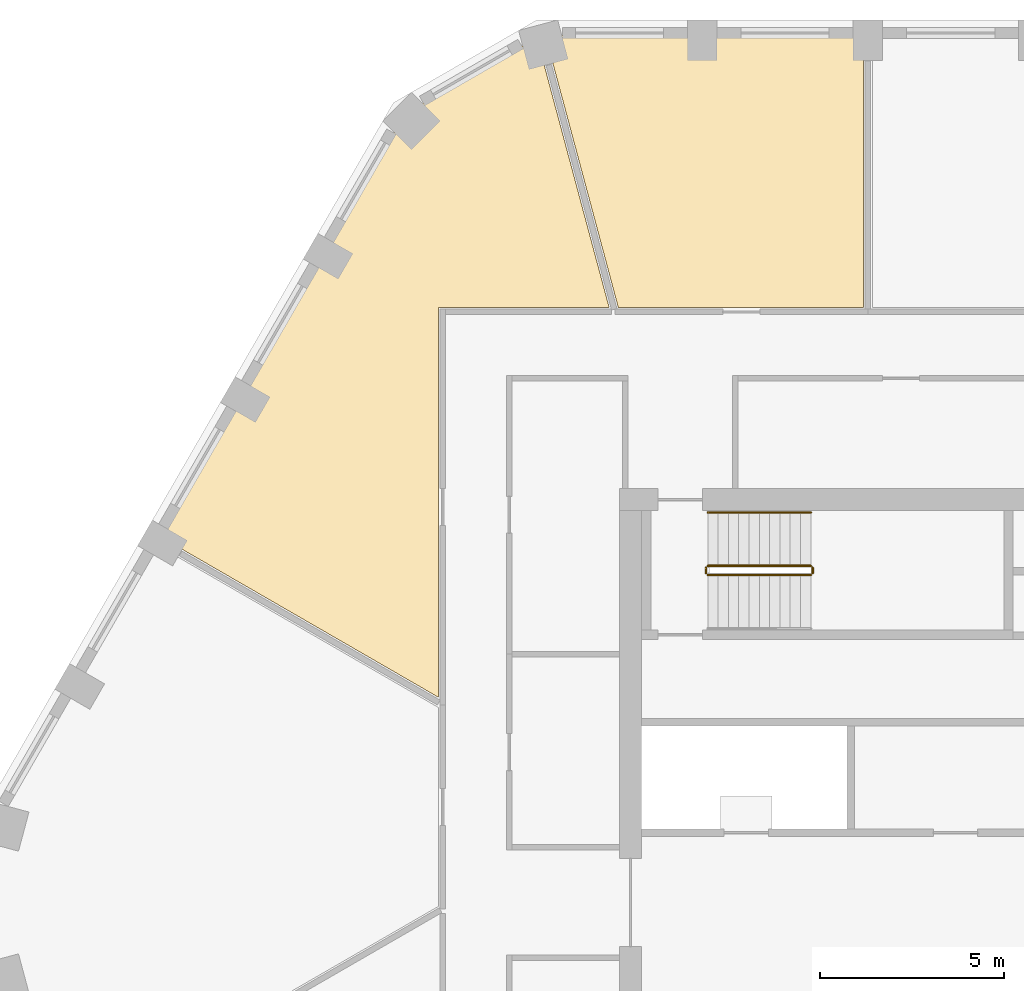
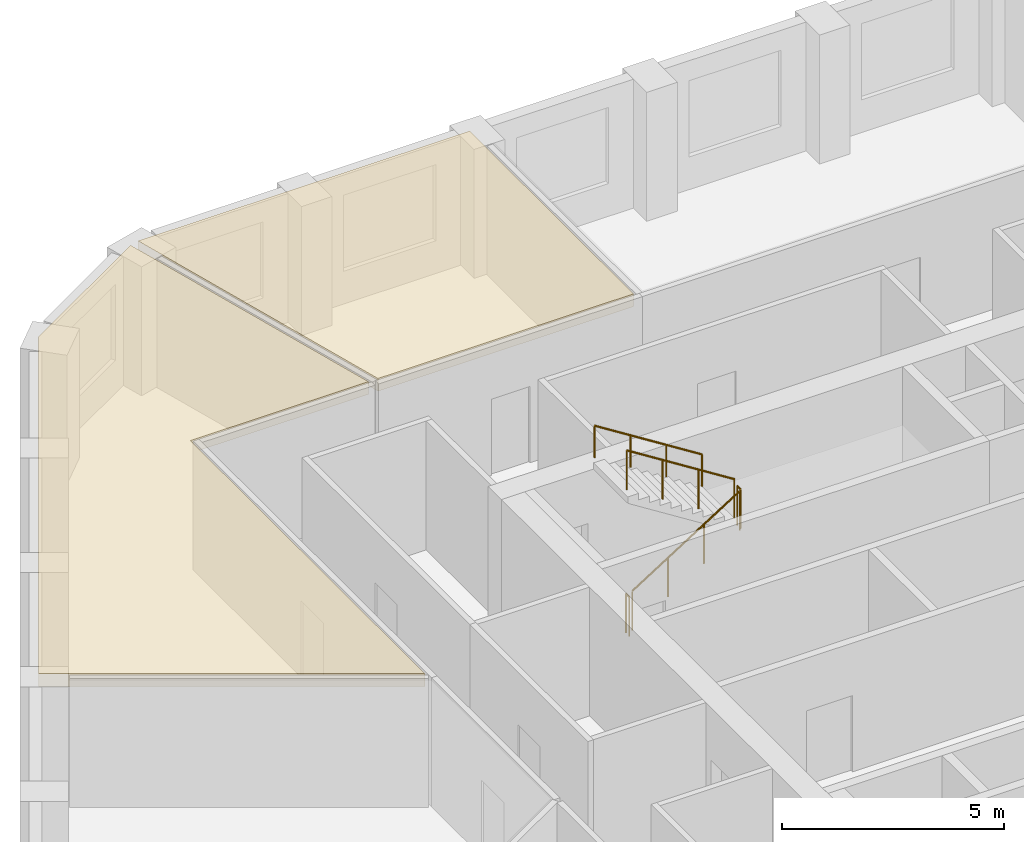
# One storey, part 11 of 13: 5 railings, 2 coverings.
"""IFC4 building model written with IfcOpenShell, lengths in metres."""

from ifc_helpers import new_model, si_unit, direction, frame, origin, origin_2d, place, context, subcontext, project, spatial, polyline, circle, outline, extrude, material, layer, layer_set, type_object, element, save


model = new_model("IFC4")

# Units and contexts
model_context = context("Model", 3, precision=1e-05, world=origin(), true_north=direction((0.0, 1.0)))
body_context = subcontext(model_context, "Body", "Model", "MODEL_VIEW")
ifc_project = project(units=[si_unit("LENGTHUNIT", "METRE"), si_unit("AREAUNIT", "SQUARE_METRE"), si_unit("VOLUMEUNIT", "CUBIC_METRE"), si_unit("PLANEANGLEUNIT", "RADIAN"), si_unit("MASSUNIT", "GRAM", prefix="KILO")], contexts=[model_context])

# Site, building, storey
site_placement = place(None, origin())
site = spatial("IfcSite", under=ifc_project, at=site_placement, CompositionType="ELEMENT")
building_placement = place(site_placement, origin())
building = spatial("IfcBuilding", under=site, at=building_placement, Name="Dhurran Vertical Campus", CompositionType="ELEMENT")
storey_placement = place(building_placement, frame((0.0, 0.0, 191.699951171875)))
storey = spatial("IfcBuildingStorey", under=building, at=storey_placement, Name="L47", CompositionType="ELEMENT", Elevation=191.699951171875)

# Railings
ifc_material_1 = material(Name="Stainless steel balustrade", Category="steel")
railing_type_1 = type_object("IfcRailingType", Name="co-RL-GUARD-1100", PredefinedType="GUARDRAIL", material=ifc_material_1)
railing_1_placement = place(storey_placement, frame((-11.10009765625, 8.89990234375, 0.17724609375)))
element("IfcRailing", 1, at=railing_1_placement, inside=storey, type_object=railing_type_1, Name="L47 ST1 stair guard 1", PredefinedType="GUARDRAIL", context=body_context, shape_type="SweptSolid", body=[
    extrude(circle(Radius=0.02392578125, at=origin_2d()), frame((0.0, 0.0, 1.076171875), z_axis=(0.844908973607, 0.0, 0.534910110503), x_axis=(0.0, 1.0, 0.0)), (0.0, 0.0, 1.0), 3.31396484375),
    extrude(circle(Radius=0.02099609375, at=origin_2d()), origin(), (0.0, 0.0, 1.0), 1.052001953125),
    extrude(circle(Radius=0.02099609375, at=origin_2d()), frame((0.933349609375, 0.0, 0.5908203125)), (0.0, 0.0, 1.0), 1.052001953125),
    extrude(circle(Radius=0.02099609375, at=origin_2d()), frame((1.86669921875, 0.0, 1.181884765625)), (0.0, 0.0, 1.0), 1.052001953125),
    extrude(circle(Radius=0.02099609375, at=origin_2d()), frame((2.800048828125, 0.0, 1.772705078125)), (0.0, 0.0, 1.0), 1.052001953125),
])
railing_2_placement = place(storey_placement, frame((-8.25, 8.949951171875, 1.949951171875)))
element("IfcRailing", 2, at=railing_2_placement, inside=storey, type_object=railing_type_1, Name="L47 ST1 stair guard 2", PredefinedType="GUARDRAIL", context=body_context, shape_type="SweptSolid", body=[
    extrude(circle(Radius=0.02392578125, at=origin_2d()), frame((0.0, 0.0, 1.076171875), z_axis=(0.0, 1.0, 0.0), x_axis=(-1.0, 0.0, 0.0)), (0.0, 0.0, 1.0), 0.150146484375),
    extrude(circle(Radius=0.02099609375, at=origin_2d()), origin(), (0.0, 0.0, 1.0), 1.052001953125),
    extrude(circle(Radius=0.02099609375, at=origin_2d()), frame((0.0, 0.150146484375, 0.0)), (0.0, 0.0, 1.0), 1.052001953125),
])
railing_3_placement = place(storey_placement, frame((-8.300048828125, 9.14990234375, 2.12744140625)))
element("IfcRailing", 3, at=railing_3_placement, inside=storey, type_object=railing_type_1, Name="L47 ST1 stair guard 3", PredefinedType="GUARDRAIL", context=body_context, shape_type="SweptSolid", body=[
    extrude(circle(Radius=0.02392578125, at=origin_2d()), frame((0.0, 0.0, 1.076171875), z_axis=(-0.844908973607, 0.0, 0.534910110503), x_axis=(0.0, -1.0, 0.0)), (0.0, 0.0, 1.0), 3.31396484375),
    extrude(circle(Radius=0.02099609375, at=origin_2d()), origin(), (0.0, 0.0, 1.0), 1.052001953125),
    extrude(circle(Radius=0.02099609375, at=origin_2d()), frame((-0.933349609375, 0.0, 0.5908203125)), (0.0, 0.0, 1.0), 1.052001953125),
    extrude(circle(Radius=0.02099609375, at=origin_2d()), frame((-1.86669921875, 0.0, 1.181884765625)), (0.0, 0.0, 1.0), 1.052001953125),
    extrude(circle(Radius=0.02099609375, at=origin_2d()), frame((-2.800048828125, 0.0, 1.772705078125)), (0.0, 0.0, 1.0), 1.052001953125),
])
railing_4_placement = place(storey_placement, frame((-11.14990234375, 8.949951171875, 0.0)))
element("IfcRailing", 4, at=railing_4_placement, inside=storey, type_object=railing_type_1, Name="L47 ST1 stair guard 4", PredefinedType="GUARDRAIL", context=body_context, shape_type="SweptSolid", body=[
    extrude(circle(Radius=0.02392578125, at=origin_2d()), frame((0.0, 0.0, 1.076171875), z_axis=(0.0, 1.0, 0.0), x_axis=(-1.0, 0.0, 0.0)), (0.0, 0.0, 1.0), 0.150146484375),
    extrude(circle(Radius=0.02099609375, at=origin_2d()), origin(), (0.0, 0.0, 1.0), 1.052001953125),
    extrude(circle(Radius=0.02099609375, at=origin_2d()), frame((0.0, 0.150146484375, 0.0)), (0.0, 0.0, 1.0), 1.052001953125),
])
ifc_material_2 = material(Name="Stainless steel handrail", Category="steel")
railing_type_2 = type_object("IfcRailingType", Name="co-RL-HANDRAIL-900", PredefinedType="HANDRAIL", material=ifc_material_2)
railing_5_placement = place(storey_placement, frame((-8.300048828125, 10.60009765625, 2.12744140625)))
element("IfcRailing", 5, at=railing_5_placement, inside=storey, type_object=railing_type_2, Name="L47 ST1 stair handrail 2", PredefinedType="HANDRAIL", context=body_context, shape_type="SweptSolid", body=[
    extrude(circle(Radius=0.02392578125, at=origin_2d()), frame((0.0, 0.0, 0.8759765625), z_axis=(-0.844908973607, 0.0, 0.534910110503), x_axis=(0.0, -1.0, 0.0)), (0.0, 0.0, 1.0), 3.31396484375),
    extrude(circle(Radius=0.02099609375, at=origin_2d()), origin(), (0.0, 0.0, 1.0), 0.851806640625),
    extrude(circle(Radius=0.02099609375, at=origin_2d()), frame((-0.933349609375, 0.0, 0.5908203125)), (0.0, 0.0, 1.0), 0.851806640625),
    extrude(circle(Radius=0.02099609375, at=origin_2d()), frame((-1.86669921875, 0.0, 1.181884765625)), (0.0, 0.0, 1.0), 0.851806640625),
    extrude(circle(Radius=0.02099609375, at=origin_2d()), frame((-2.800048828125, 0.0, 1.772705078125)), (0.0, 0.0, 1.0), 0.851806640625),
])

# Coverings
ifc_material_3 = material(Name="Mineral fibre ceiling tiles on suspended grid")
ifc_layer = layer(ifc_material_3, 0.35009765625)
ifc_layer_set = layer_set([ifc_layer], Name="Mineral fibre ceiling tiles on suspended grid")
covering_type = type_object("IfcCoveringType", Name="fl-CE-350 suspended ceiling", PredefinedType="CEILING", material=ifc_layer_set)
covering_1_placement = place(storey_placement, frame((0.0, 0.0, 3.199951171875)))
element("IfcCovering", 6, at=covering_1_placement, inside=storey, type_object=covering_type, Name="Ceiling 47-11", PredefinedType="CEILING", context=body_context, shape_type="SweptSolid", body=[
    extrude(outline(polyline([(-25.972900390625, 9.93798828125), (-19.339111328125, 21.427978515625), (-15.7451171875, 23.50390625), (-13.780029296875, 16.169921875), (-18.419921875, 16.169921875), (-18.419921875, 5.576904296875), (-25.972900390625, 9.93798828125)])), origin(), (0.0, 0.0, 1.0), 0.35009765625),
])
covering_2_placement = place(storey_placement, frame((0.0, 0.0, 3.199951171875)))
element("IfcCovering", 7, at=covering_2_placement, inside=storey, type_object=covering_type, Name="Ceiling 47-17", PredefinedType="CEILING", context=body_context, shape_type="SweptSolid", body=[
    extrude(outline(polyline([(-15.513916015625, 23.56591796875), (-6.8701171875, 23.56591796875), (-6.8701171875, 16.169921875), (-13.531982421875, 16.169921875), (-15.513916015625, 23.56591796875)])), origin(), (0.0, 0.0, 1.0), 0.35009765625),
])

save(model, "model.ifc")
